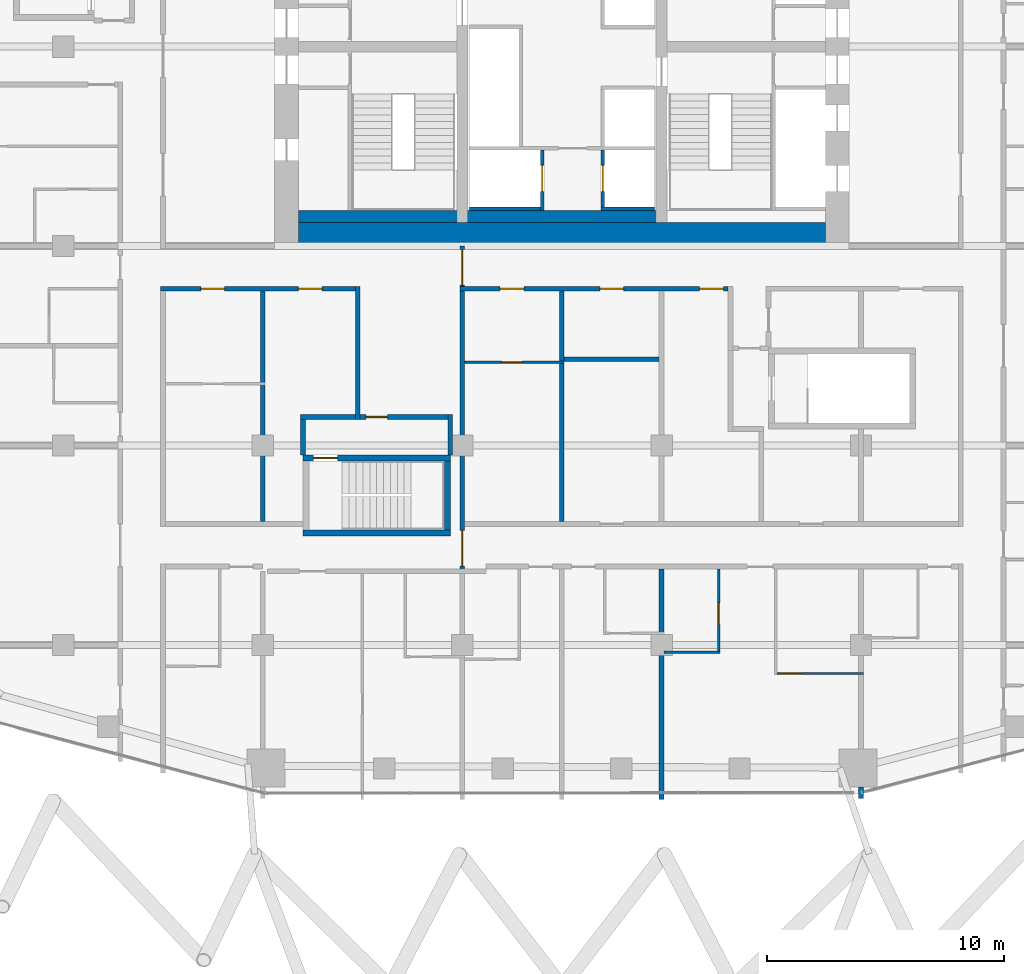
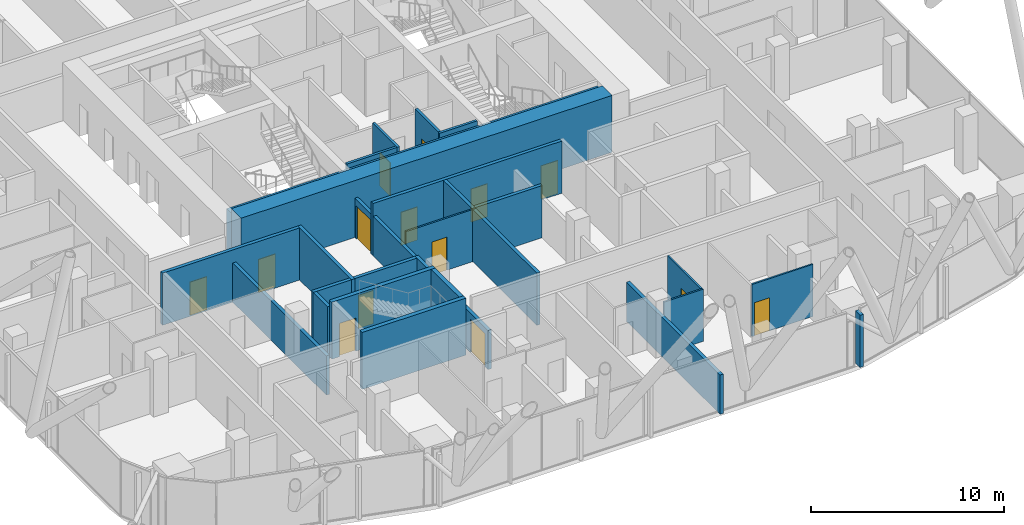
# One storey, part 27 of 34: 26 walls, 14 doors, 14 openings.
"""IFC4 building model written with IfcOpenShell, lengths in metres."""

from ifc_helpers import new_model, si_unit, direction, frame, frame_2d, origin, place, context, subcontext, project, spatial, rectangle, extrude, material, layer, layer_set, type_object, element, fill, save


model = new_model("IFC4")

# Units and contexts
model_context = context("Model", 3, precision=1e-05, world=origin(), true_north=direction((0.0, 1.0)))
body_context = subcontext(model_context, "Body", "Model", "MODEL_VIEW")
ifc_project = project(units=[si_unit("LENGTHUNIT", "METRE"), si_unit("AREAUNIT", "SQUARE_METRE"), si_unit("VOLUMEUNIT", "CUBIC_METRE"), si_unit("PLANEANGLEUNIT", "RADIAN"), si_unit("MASSUNIT", "GRAM", prefix="KILO")], contexts=[model_context])

# Site, building, storey
site_placement = place(None, origin())
site = spatial("IfcSite", under=ifc_project, at=site_placement, CompositionType="ELEMENT")
building_placement = place(site_placement, origin())
building = spatial("IfcBuilding", under=site, at=building_placement, Name="Marenta Gate Hotel Tower", CompositionType="ELEMENT")
storey_placement = place(building_placement, frame((0.0, 0.0, 166.10009765625)))
storey = spatial("IfcBuildingStorey", under=building, at=storey_placement, Name="L39", CompositionType="ELEMENT", Elevation=166.10009765625)

# Wall, openings, doors
ifc_material_1 = material(Name="Concrete blockwork", Category="masonry")
ifc_layer_1 = layer(ifc_material_1, 0.199951171875)
ifc_layer_set_1 = layer_set([ifc_layer_1], Name="Concrete blockwork")
wall_type_1 = type_object("IfcWallType", Name="Compartment wall 200 REI 180", PredefinedType="PARTITIONING", material=ifc_layer_set_1)
wall_1_placement = place(storey_placement, frame((-4.199951171875, -13.800048828125, 0.0), z_axis=(0.0, 0.0, 1.0), x_axis=(0.0, 1.0, 0.0)))
wall_1 = element("IfcWall", 1, at=wall_1_placement, inside=storey, type_object=wall_type_1, Name="L39-PTN-W074", PredefinedType="PARTITIONING", context=body_context, shape_type="SweptSolid", body=[
    extrude(rectangle(XDim=13.800048828125, YDim=0.199951171875, at=frame_2d((6.89990234375, 0.0))), origin(), (0.0, 0.0, 1.0), 2.48583984375),
])
opening_1_placement = place(wall_1_placement, frame((12.14990234375, 0.0, 0.0)))
opening_1 = element("IfcOpeningElement", 2, at=opening_1_placement, cuts=wall_1, Name="Opening G14-FD2", PredefinedType="OPENING", context=body_context, shape_type="SweptSolid", body=[
    extrude(rectangle(XDim=1.5, YDim=2.10009765625, at=frame_2d((0.75, 1.050048828125))), frame((0.0, 0.10009765625, 0.0), z_axis=(0.0, -1.0, 0.0), x_axis=(1.0, 0.0, 0.0)), (0.0, 0.0, 1.0), 0.199951171875),
])
opening_2_placement = place(wall_1_placement, frame((0.324951171875, 0.0, 0.0)))
opening_2 = element("IfcOpeningElement", 3, at=opening_2_placement, cuts=wall_1, Name="Opening G14-FD3", PredefinedType="OPENING", context=body_context, shape_type="SweptSolid", body=[
    extrude(rectangle(XDim=1.5, YDim=2.10009765625, at=frame_2d((0.75, 1.050048828125))), frame((0.0, 0.10009765625, 0.0), z_axis=(0.0, -1.0, 0.0), x_axis=(1.0, 0.0, 0.0)), (0.0, 0.0, 1.0), 0.199951171875),
])
ifc_material_2 = material(Name="Hollow steel door set", Category="steel")
door_type_1 = type_object("IfcDoorType", Name="Compartment fire door 1500x2100 EI 60", OperationType="DOUBLE_DOOR_DOUBLE_SWING", PredefinedType="DOOR", material=ifc_material_2)
door_1_placement = place(opening_1_placement, origin())
door_1 = element("IfcDoor", 4, at=door_1_placement, inside=storey, type_object=door_type_1, Name="L39-PD-FD02", OperationType="DOUBLE_DOOR_DOUBLE_SWING", OverallHeight=2.10009765625, OverallWidth=1.5, PredefinedType="DOOR", context=body_context, shape_type="SweptSolid", body=[
    extrude(rectangle(XDim=1.5, YDim=2.10009765625, at=frame_2d((0.75, 1.050048828125))), frame((0.0, 0.02490234375, 0.0), z_axis=(0.0, -1.0, 0.0), x_axis=(1.0, 0.0, 0.0)), (0.0, 0.0, 1.0), 0.050048828125),
])
fill(opening_1, door_1)
door_2_placement = place(opening_2_placement, origin())
door_2 = element("IfcDoor", 5, at=door_2_placement, inside=storey, type_object=door_type_1, Name="L39-PD-FD03", OperationType="DOUBLE_DOOR_DOUBLE_SWING", OverallHeight=2.10009765625, OverallWidth=1.5, PredefinedType="DOOR", context=body_context, shape_type="SweptSolid", body=[
    extrude(rectangle(XDim=1.5, YDim=2.10009765625, at=frame_2d((0.75, 1.050048828125))), frame((0.0, 0.02490234375, 0.0), z_axis=(0.0, -1.0, 0.0), x_axis=(1.0, 0.0, 0.0)), (0.0, 0.0, 1.0), 0.050048828125),
])
fill(opening_2, door_2)

# Wall
ifc_material_3 = material(Name="Concrete C40", Category="concrete")
ifc_layer_2 = layer(ifc_material_3, 0.5)
ifc_layer_set_2 = layer_set([ifc_layer_2], Name="Concrete C40")
wall_type_2 = type_object("IfcWallType", Name="Core lining wall 500 REI 180", PredefinedType="PARTITIONING", material=ifc_layer_set_2)
wall_2_placement = place(storey_placement, frame((-11.10009765625, 1.25, 0.0), z_axis=(0.0, 0.0, 1.0), x_axis=(1.0, 0.0, 0.0)))
element("IfcWall", 6, at=wall_2_placement, inside=storey, type_object=wall_type_2, Name="L39-CP-LN-S", PredefinedType="PARTITIONING", context=body_context, shape_type="SweptSolid", body=[
    extrude(rectangle(XDim=22.2001953125, YDim=0.5, at=frame_2d((11.10009765625, 0.0))), origin(), (0.0, 0.0, 1.0), 3.2998046875),
])

# Wall, opening, door
ifc_material_4 = material(Name="Concrete C40", Category="concrete")
ifc_layer_3 = layer(ifc_material_4, 0.14990234375)
ifc_layer_set_3 = layer_set([ifc_layer_3], Name="Concrete C40")
wall_type_3 = type_object("IfcWallType", Name="Core shaft wall 150 REI 180", PredefinedType="SHEAR", material=ifc_layer_set_3)
wall_3_placement = place(storey_placement, frame((-0.824951171875, 1.5, 0.0), z_axis=(0.0, 0.0, 1.0), x_axis=(0.0, 1.0, 0.0)))
wall_3 = element("IfcWall", 7, at=wall_3_placement, inside=storey, type_object=wall_type_3, Name="L39-SHF-CW-W-ff", PredefinedType="SHEAR", context=body_context, shape_type="SweptSolid", body=[
    extrude(rectangle(XDim=2.550048828125, YDim=0.14990234375, at=frame_2d((1.27490234375, 0.0))), origin(), (0.0, 0.0, 1.0), 3.599853515625),
])
opening_3_placement = place(wall_3_placement, frame((0.800048828125, 0.0, 0.0)))
opening_3 = element("IfcOpeningElement", 8, at=opening_3_placement, cuts=wall_3, Name="Opening LD-FF1", PredefinedType="OPENING", context=body_context, shape_type="SweptSolid", body=[
    extrude(rectangle(XDim=1.10009765625, YDim=2.10009765625, at=frame_2d((0.550048828125, 1.050048828125))), frame((0.0, 0.074951171875, 0.0), z_axis=(0.0, -1.0, 0.0), x_axis=(1.0, 0.0, 0.0)), (0.0, 0.0, 1.0), 0.14990234375),
])
ifc_material_5 = material(Name="Steel", Category="steel")
door_type_2 = type_object("IfcDoorType", Name="Core lift landing door 1100x2100 E 60", OperationType="SLIDING_TO_LEFT", PredefinedType="DOOR", material=ifc_material_5)
door_3_placement = place(opening_3_placement, origin())
door_3 = element("IfcDoor", 9, at=door_3_placement, inside=storey, type_object=door_type_2, Name="LD-FF1", OperationType="SLIDING_TO_LEFT", OverallHeight=2.10009765625, OverallWidth=1.10009765625, PredefinedType="DOOR", context=body_context, shape_type="SweptSolid", body=[
    extrude(rectangle(XDim=1.10009765625, YDim=2.10009765625, at=frame_2d((0.550048828125, 1.050048828125))), frame((0.0, 0.02490234375, 0.0), z_axis=(0.0, -1.0, 0.0), x_axis=(1.0, 0.0, 0.0)), (0.0, 0.0, 1.0), 0.050048828125),
])
fill(opening_3, door_3)

# Wall
wall_4_placement = place(storey_placement, frame((-3.89990234375, 1.574951171875, 0.0), z_axis=(0.0, 0.0, 1.0), x_axis=(1.0, 0.0, 0.0)))
element("IfcWall", 10, at=wall_4_placement, inside=storey, type_object=wall_type_3, Name="L39-SHF-CW-W-ffs", PredefinedType="SHEAR", context=body_context, shape_type="SweptSolid", body=[
    extrude(rectangle(XDim=3.0, YDim=0.14990234375, at=frame_2d((1.5, 0.0))), origin(), (0.0, 0.0, 1.0), 3.599853515625),
])

# Wall, opening, door
wall_5_placement = place(storey_placement, frame((1.72509765625, 1.64990234375, 0.0), z_axis=(0.0, 0.0, 1.0), x_axis=(0.0, 1.0, 0.0)))
wall_5 = element("IfcWall", 11, at=wall_5_placement, inside=storey, type_object=wall_type_3, Name="L39-SHF-CE-S-ls", PredefinedType="SHEAR", context=body_context, shape_type="SweptSolid", body=[
    extrude(rectangle(XDim=2.400146484375, YDim=0.14990234375, at=frame_2d((1.2001953125, 0.0))), origin(), (0.0, 0.0, 1.0), 3.599853515625),
])
opening_4_placement = place(wall_5_placement, frame((0.64990234375, 0.0, 0.0)))
opening_4 = element("IfcOpeningElement", 12, at=opening_4_placement, cuts=wall_5, Name="Opening LD-SV1", PredefinedType="OPENING", context=body_context, shape_type="SweptSolid", body=[
    extrude(rectangle(XDim=1.10009765625, YDim=2.10009765625, at=frame_2d((0.550048828125, 1.050048828125))), frame((0.0, 0.074951171875, 0.0), z_axis=(0.0, -1.0, 0.0), x_axis=(1.0, 0.0, 0.0)), (0.0, 0.0, 1.0), 0.14990234375),
])
door_4_placement = place(opening_4_placement, origin())
door_4 = element("IfcDoor", 13, at=door_4_placement, inside=storey, type_object=door_type_2, Name="LD-SV1", OperationType="SLIDING_TO_LEFT", OverallHeight=2.10009765625, OverallWidth=1.10009765625, PredefinedType="DOOR", context=body_context, shape_type="SweptSolid", body=[
    extrude(rectangle(XDim=1.10009765625, YDim=2.10009765625, at=frame_2d((0.550048828125, 1.050048828125))), frame((0.0, 0.02490234375, 0.0), z_axis=(0.0, -1.0, 0.0), x_axis=(1.0, 0.0, 0.0)), (0.0, 0.0, 1.0), 0.050048828125),
])
fill(opening_4, door_4)

# Walls
wall_6_placement = place(storey_placement, frame((1.64990234375, 1.574951171875, 0.0), z_axis=(0.0, 0.0, 1.0), x_axis=(1.0, 0.0, 0.0)))
element("IfcWall", 14, at=wall_6_placement, inside=storey, type_object=wall_type_3, Name="L39-SHF-CE-S-bot", PredefinedType="SHEAR", context=body_context, shape_type="SweptSolid", body=[
    extrude(rectangle(XDim=2.25, YDim=0.14990234375, at=frame_2d((1.125, 0.0))), origin(), (0.0, 0.0, 1.0), 3.599853515625),
])
ifc_material_6 = material(Name="Concrete C70", Category="concrete")
ifc_layer_4 = layer(ifc_material_6, 1.0)
ifc_layer_set_4 = layer_set([ifc_layer_4], Name="Concrete C70")
wall_type_4 = type_object("IfcWallType", Name="Core wall 1000 C70", PredefinedType="SHEAR", material=ifc_layer_set_4)
wall_7_placement = place(storey_placement, frame((-11.10009765625, 0.5, 0.0), z_axis=(0.0, 0.0, 1.0), x_axis=(1.0, 0.0, 0.0)))
element("IfcWall", 15, at=wall_7_placement, inside=storey, type_object=wall_type_4, Name="L39-CORE-S", PredefinedType="SHEAR", context=body_context, shape_type="SweptSolid", body=[
    extrude(rectangle(XDim=22.2001953125, YDim=1.0, at=frame_2d((11.10009765625, 0.0))), origin(), (0.0, 0.0, 1.0), 3.599853515625),
])
ifc_material_7 = material(Name="Concrete C40", Category="concrete")
ifc_layer_5 = layer(ifc_material_7, 0.25)
ifc_layer_set_5 = layer_set([ifc_layer_5], Name="Concrete C40")
wall_type_5 = type_object("IfcWallType", Name="Remote stair enclosure wall 250 REI 180", PredefinedType="SHEAR", material=ifc_layer_set_5)
wall_8_placement = place(storey_placement, frame((-10.89990234375, -12.074951171875, 0.099853515625), z_axis=(0.0, 0.0, 1.0), x_axis=(1.0, 0.0, 0.0)))
element("IfcWall", 16, at=wall_8_placement, inside=storey, type_object=wall_type_5, Name="L39-RS-Z2-1-W1", PredefinedType="SHEAR", context=body_context, shape_type="SweptSolid", body=[
    extrude(rectangle(XDim=6.199951171875, YDim=0.25, at=frame_2d((3.10009765625, 0.0))), origin(), (0.0, 0.0, 1.0), 3.60009765625),
])

# Wall, opening, door
wall_9_placement = place(storey_placement, frame((-10.89990234375, -8.925048828125, 0.099853515625), z_axis=(0.0, 0.0, 1.0), x_axis=(1.0, 0.0, 0.0)))
wall_9 = element("IfcWall", 17, at=wall_9_placement, inside=storey, type_object=wall_type_5, Name="L39-RS-Z2-1-W2", PredefinedType="SHEAR", context=body_context, shape_type="SweptSolid", body=[
    extrude(rectangle(XDim=6.199951171875, YDim=0.25, at=frame_2d((3.10009765625, 0.0))), origin(), (0.0, 0.0, 1.0), 3.60009765625),
])
opening_5_placement = place(wall_9_placement, frame((0.449951171875, 0.0, 0.0)))
opening_5 = element("IfcOpeningElement", 18, at=opening_5_placement, cuts=wall_9, Name="Opening VD", PredefinedType="OPENING", context=body_context, shape_type="SweptSolid", body=[
    extrude(rectangle(XDim=1.0, YDim=2.10009765625, at=frame_2d((0.5, 1.050048828125))), frame((0.0, 0.125, 0.0), z_axis=(0.0, -1.0, 0.0), x_axis=(1.0, 0.0, 0.0)), (0.0, 0.0, 1.0), 0.25),
])
ifc_material_8 = material(Name="Steel", Category="steel")
door_type_3 = type_object("IfcDoorType", Name="Stair vestibule door 1000x2100 FD60", OperationType="SINGLE_SWING_LEFT", PredefinedType="DOOR", material=ifc_material_8)
door_5_placement = place(opening_5_placement, origin())
door_5 = element("IfcDoor", 19, at=door_5_placement, inside=storey, type_object=door_type_3, Name="VD", OperationType="SINGLE_SWING_LEFT", OverallHeight=2.10009765625, OverallWidth=1.0, PredefinedType="DOOR", context=body_context, shape_type="SweptSolid", body=[
    extrude(rectangle(XDim=1.0, YDim=2.10009765625, at=frame_2d((0.5, 1.050048828125))), frame((0.0, 0.02490234375, 0.0), z_axis=(0.0, -1.0, 0.0), x_axis=(1.0, 0.0, 0.0)), (0.0, 0.0, 1.0), 0.050048828125),
])
fill(opening_5, door_5)

# Wall
wall_10_placement = place(storey_placement, frame((-4.824951171875, -11.949951171875, 0.099853515625), z_axis=(0.0, 0.0, 1.0), x_axis=(0.0, 1.0, 0.0)))
element("IfcWall", 20, at=wall_10_placement, inside=storey, type_object=wall_type_5, Name="L39-RS-Z2-1-W4", PredefinedType="SHEAR", context=body_context, shape_type="SweptSolid", body=[
    extrude(rectangle(XDim=2.89990234375, YDim=0.25, at=frame_2d((1.449951171875, 0.0))), origin(), (0.0, 0.0, 1.0), 3.60009765625),
])

# Wall, openings, doors
ifc_material_9 = material(Name="Concrete blockwork", Category="masonry")
ifc_layer_6 = layer(ifc_material_9, 0.199951171875)
ifc_layer_set_6 = layer_set([ifc_layer_6], Name="Concrete blockwork")
wall_type_6 = type_object("IfcWallType", Name="Room corridor wall 200 EI 120", PredefinedType="PARTITIONING", material=ifc_layer_set_6)
wall_11_placement = place(storey_placement, frame((-4.300048828125, -1.800048828125, 0.0), z_axis=(0.0, 0.0, 1.0), x_axis=(1.0, 0.0, 0.0)))
wall_11 = element("IfcWall", 21, at=wall_11_placement, inside=storey, type_object=wall_type_6, Name="L39-PTN-W062", PredefinedType="PARTITIONING", context=body_context, shape_type="SweptSolid", body=[
    extrude(rectangle(XDim=11.300048828125, YDim=0.199951171875, at=frame_2d((5.64990234375, 0.0))), origin(), (0.0, 0.0, 1.0), 3.2998046875),
])
opening_6_placement = place(wall_11_placement, frame((1.699951171875, 0.0, 0.0)))
opening_6 = element("IfcOpeningElement", 22, at=opening_6_placement, cuts=wall_11, Name="Opening G14-04", PredefinedType="OPENING", context=body_context, shape_type="SweptSolid", body=[
    extrude(rectangle(XDim=1.0, YDim=2.10009765625, at=frame_2d((0.5, 1.050048828125))), frame((0.0, 0.10009765625, 0.0), z_axis=(0.0, -1.0, 0.0), x_axis=(1.0, 0.0, 0.0)), (0.0, 0.0, 1.0), 0.199951171875),
])
opening_7_placement = place(wall_11_placement, frame((10.10009765625, 0.0, 0.0)))
opening_7 = element("IfcOpeningElement", 23, at=opening_7_placement, cuts=wall_11, Name="Opening G14-06", PredefinedType="OPENING", context=body_context, shape_type="SweptSolid", body=[
    extrude(rectangle(XDim=1.0, YDim=2.10009765625, at=frame_2d((0.5, 1.050048828125))), frame((0.0, 0.10009765625, 0.0), z_axis=(0.0, -1.0, 0.0), x_axis=(1.0, 0.0, 0.0)), (0.0, 0.0, 1.0), 0.199951171875),
])
opening_8_placement = place(wall_11_placement, frame((5.89990234375, 0.0, 0.0)))
opening_8 = element("IfcOpeningElement", 24, at=opening_8_placement, cuts=wall_11, Name="Opening G14-65", PredefinedType="OPENING", context=body_context, shape_type="SweptSolid", body=[
    extrude(rectangle(XDim=1.0, YDim=2.10009765625, at=frame_2d((0.5, 1.050048828125))), frame((0.0, 0.10009765625, 0.0), z_axis=(0.0, -1.0, 0.0), x_axis=(1.0, 0.0, 0.0)), (0.0, 0.0, 1.0), 0.199951171875),
])
ifc_material_10 = material(Name="Timber door leaf", Category="wood")
door_type_4 = type_object("IfcDoorType", Name="Room amenity door 1000x2100 EI 60", OperationType="NOTDEFINED", PredefinedType="DOOR", material=ifc_material_10)
door_6_placement = place(opening_7_placement, origin())
door_6 = element("IfcDoor", 25, at=door_6_placement, inside=storey, type_object=door_type_4, Name="L39-PD-D006", OperationType="SINGLE_SWING_LEFT", OverallHeight=2.10009765625, OverallWidth=1.0, PredefinedType="DOOR", context=body_context, shape_type="SweptSolid", body=[
    extrude(rectangle(XDim=1.0, YDim=2.10009765625, at=frame_2d((0.5, 1.050048828125))), frame((0.0, 0.02490234375, 0.0), z_axis=(0.0, -1.0, 0.0), x_axis=(1.0, 0.0, 0.0)), (0.0, 0.0, 1.0), 0.050048828125),
])
fill(opening_7, door_6)
door_7_placement = place(opening_8_placement, origin())
door_7 = element("IfcDoor", 26, at=door_7_placement, inside=storey, type_object=door_type_4, Name="L39-PD-D065", OperationType="SINGLE_SWING_LEFT", OverallHeight=2.10009765625, OverallWidth=1.0, PredefinedType="DOOR", context=body_context, shape_type="SweptSolid", body=[
    extrude(rectangle(XDim=1.0, YDim=2.10009765625, at=frame_2d((0.5, 1.050048828125))), frame((0.0, 0.02490234375, 0.0), z_axis=(0.0, -1.0, 0.0), x_axis=(1.0, 0.0, 0.0)), (0.0, 0.0, 1.0), 0.050048828125),
])
fill(opening_8, door_7)
ifc_material_11 = material(Name="Hollow steel door set", Category="steel")
door_type_5 = type_object("IfcDoorType", Name="Room service door 1000x2100 EI 60", OperationType="NOTDEFINED", PredefinedType="DOOR", material=ifc_material_11)
door_8_placement = place(opening_6_placement, origin())
door_8 = element("IfcDoor", 27, at=door_8_placement, inside=storey, type_object=door_type_5, Name="L39-PD-D004", OperationType="SINGLE_SWING_RIGHT", OverallHeight=2.10009765625, OverallWidth=1.0, PredefinedType="DOOR", context=body_context, shape_type="SweptSolid", body=[
    extrude(rectangle(XDim=1.0, YDim=2.10009765625, at=frame_2d((0.5, 1.050048828125))), frame((0.0, 0.02490234375, 0.0), z_axis=(0.0, -1.0, 0.0), x_axis=(1.0, 0.0, 0.0)), (0.0, 0.0, 1.0), 0.050048828125),
])
fill(opening_6, door_8)

ifc_material_12 = material(Name="Gypsum board on steel stud", Category="steel")
ifc_layer_7 = layer(ifc_material_12, 0.199951171875)
ifc_layer_set_7 = layer_set([ifc_layer_7], Name="Gypsum board on steel stud")
wall_type_7 = type_object("IfcWallType", Name="Room corridor wall 200 EI 60", PredefinedType="PARTITIONING", material=ifc_layer_set_7)
wall_12_placement = place(storey_placement, frame((-16.89990234375, -1.800048828125, 0.0), z_axis=(0.0, 0.0, 1.0), x_axis=(1.0, 0.0, 0.0)))
wall_12 = element("IfcWall", 28, at=wall_12_placement, inside=storey, type_object=wall_type_7, Name="L39-PTN-W061", PredefinedType="PARTITIONING", context=body_context, shape_type="SweptSolid", body=[
    extrude(rectangle(XDim=8.199951171875, YDim=0.199951171875, at=frame_2d((4.10009765625, 0.0))), origin(), (0.0, 0.0, 1.0), 3.2998046875),
])
opening_9_placement = place(wall_12_placement, frame((1.699951171875, 0.0, 0.0)))
opening_9 = element("IfcOpeningElement", 29, at=opening_9_placement, cuts=wall_12, Name="Opening G14-01", PredefinedType="OPENING", context=body_context, shape_type="SweptSolid", body=[
    extrude(rectangle(XDim=1.0, YDim=2.10009765625, at=frame_2d((0.5, 1.050048828125))), frame((0.0, 0.10009765625, 0.0), z_axis=(0.0, -1.0, 0.0), x_axis=(1.0, 0.0, 0.0)), (0.0, 0.0, 1.0), 0.199951171875),
])
opening_10_placement = place(wall_12_placement, frame((5.800048828125, 0.0, 0.0)))
opening_10 = element("IfcOpeningElement", 30, at=opening_10_placement, cuts=wall_12, Name="Opening G14-03", PredefinedType="OPENING", context=body_context, shape_type="SweptSolid", body=[
    extrude(rectangle(XDim=1.0, YDim=2.10009765625, at=frame_2d((0.5, 1.050048828125))), frame((0.0, 0.10009765625, 0.0), z_axis=(0.0, -1.0, 0.0), x_axis=(1.0, 0.0, 0.0)), (0.0, 0.0, 1.0), 0.199951171875),
])
ifc_material_13 = material(Name="Timber door leaf", Category="wood")
door_type_6 = type_object("IfcDoorType", Name="Room amenity door 1000x2100 EI 30", OperationType="NOTDEFINED", PredefinedType="DOOR", material=ifc_material_13)
door_9_placement = place(opening_10_placement, origin())
door_9 = element("IfcDoor", 31, at=door_9_placement, inside=storey, type_object=door_type_6, Name="L39-PD-D003", OperationType="SINGLE_SWING_LEFT", OverallHeight=2.10009765625, OverallWidth=1.0, PredefinedType="DOOR", context=body_context, shape_type="SweptSolid", body=[
    extrude(rectangle(XDim=1.0, YDim=2.10009765625, at=frame_2d((0.5, 1.050048828125))), frame((0.0, 0.02490234375, 0.0), z_axis=(0.0, -1.0, 0.0), x_axis=(1.0, 0.0, 0.0)), (0.0, 0.0, 1.0), 0.050048828125),
])
fill(opening_10, door_9)
ifc_material_14 = material(Name="Hollow steel door set", Category="steel")
door_type_7 = type_object("IfcDoorType", Name="Room service door 1000x2100 EI 30", OperationType="NOTDEFINED", PredefinedType="DOOR", material=ifc_material_14)
door_10_placement = place(opening_9_placement, origin())
door_10 = element("IfcDoor", 32, at=door_10_placement, inside=storey, type_object=door_type_7, Name="L39-PD-D001", OperationType="SINGLE_SWING_LEFT", OverallHeight=2.10009765625, OverallWidth=1.0, PredefinedType="DOOR", context=body_context, shape_type="SweptSolid", body=[
    extrude(rectangle(XDim=1.0, YDim=2.10009765625, at=frame_2d((0.5, 1.050048828125))), frame((0.0, 0.02490234375, 0.0), z_axis=(0.0, -1.0, 0.0), x_axis=(1.0, 0.0, 0.0)), (0.0, 0.0, 1.0), 0.050048828125),
])
fill(opening_9, door_10)

# Wall
wall_13_placement = place(storey_placement, frame((-8.60009765625, -7.300048828125, 0.0), z_axis=(0.0, 0.0, 1.0), x_axis=(0.0, 1.0, 0.0)))
element("IfcWall", 33, at=wall_13_placement, inside=storey, type_object=wall_type_7, Name="L39-PTN-W084", PredefinedType="PARTITIONING", context=body_context, shape_type="SweptSolid", body=[
    extrude(rectangle(XDim=5.60009765625, YDim=0.199951171875, at=frame_2d((2.800048828125, 0.0))), origin(), (0.0, 0.0, 1.0), 3.2998046875),
])

# Wall, opening, door
ifc_material_15 = material(Name="Concrete blockwork", Category="masonry")
ifc_layer_8 = layer(ifc_material_15, 0.199951171875)
ifc_layer_set_8 = layer_set([ifc_layer_8], Name="Concrete blockwork")
wall_type_8 = type_object("IfcWallType", Name="Room corridor wall 200 REI 180", PredefinedType="PARTITIONING", material=ifc_layer_set_8)
wall_14_placement = place(storey_placement, frame((-8.5, -7.199951171875, 0.0), z_axis=(0.0, 0.0, 1.0), x_axis=(1.0, 0.0, 0.0)))
wall_14 = element("IfcWall", 34, at=wall_14_placement, inside=storey, type_object=wall_type_8, Name="L39-PTN-W045", PredefinedType="PARTITIONING", context=body_context, shape_type="SweptSolid", body=[
    extrude(rectangle(XDim=3.699951171875, YDim=0.199951171875, at=frame_2d((1.85009765625, 0.0))), origin(), (0.0, 0.0, 1.0), 3.2998046875),
])
opening_11_placement = place(wall_14_placement, frame((0.25, 0.0, 0.0)))
opening_11 = element("IfcOpeningElement", 35, at=opening_11_placement, cuts=wall_14, Name="Opening G14-56", PredefinedType="OPENING", context=body_context, shape_type="SweptSolid", body=[
    extrude(rectangle(XDim=0.89990234375, YDim=2.10009765625, at=frame_2d((0.449951171875, 1.050048828125))), frame((0.0, 0.10009765625, 0.0), z_axis=(0.0, -1.0, 0.0), x_axis=(1.0, 0.0, 0.0)), (0.0, 0.0, 1.0), 0.199951171875),
])
ifc_material_16 = material(Name="Hollow steel door set", Category="steel")
door_type_8 = type_object("IfcDoorType", Name="Stair vestibule door 900x2100 EI 60", OperationType="NOTDEFINED", PredefinedType="DOOR", material=ifc_material_16)
door_11_placement = place(opening_11_placement, origin())
door_11 = element("IfcDoor", 36, at=door_11_placement, inside=storey, type_object=door_type_8, Name="L39-PD-D056", OperationType="SINGLE_SWING_RIGHT", OverallHeight=2.10009765625, OverallWidth=0.89990234375, PredefinedType="DOOR", context=body_context, shape_type="SweptSolid", body=[
    extrude(rectangle(XDim=0.89990234375, YDim=2.10009765625, at=frame_2d((0.449951171875, 1.050048828125))), frame((0.0, 0.02490234375, 0.0), z_axis=(0.0, -1.0, 0.0), x_axis=(1.0, 0.0, 0.0)), (0.0, 0.0, 1.0), 0.050048828125),
])
fill(opening_11, door_11)

# Wall
wall_15_placement = place(storey_placement, frame((-4.699951171875, -8.800048828125, 0.0), z_axis=(0.0, 0.0, 1.0), x_axis=(0.0, 1.0, 0.0)))
element("IfcWall", 37, at=wall_15_placement, inside=storey, type_object=wall_type_8, Name="L39-PTN-W077", PredefinedType="PARTITIONING", context=body_context, shape_type="SweptSolid", body=[
    extrude(rectangle(XDim=1.699951171875, YDim=0.199951171875, at=frame_2d((0.85009765625, 0.0))), origin(), (0.0, 0.0, 1.0), 3.2998046875),
])

# Wall, opening, door
ifc_material_17 = material(Name="Gypsum board on steel stud", Category="steel")
ifc_layer_9 = layer(ifc_material_17, 0.10009765625)
ifc_layer_set_9 = layer_set([ifc_layer_9], Name="Gypsum board on steel stud")
wall_type_9 = type_object("IfcWallType", Name="Room partition 100", PredefinedType="PARTITIONING", material=ifc_layer_set_9)
wall_16_placement = place(storey_placement, frame((9.050048828125, -18.0, 0.0), z_axis=(0.0, 0.0, 1.0), x_axis=(1.0, 0.0, 0.0)))
wall_16 = element("IfcWall", 38, at=wall_16_placement, inside=storey, type_object=wall_type_9, Name="L39-PTN-W011", PredefinedType="PARTITIONING", context=body_context, shape_type="SweptSolid", body=[
    extrude(rectangle(XDim=3.64990234375, YDim=0.10009765625, at=frame_2d((1.824951171875, 0.0))), origin(), (0.0, 0.0, 1.0), 3.2998046875),
])
opening_12_placement = place(wall_16_placement, frame((0.14990234375, 0.0, 0.0)))
opening_12 = element("IfcOpeningElement", 39, at=opening_12_placement, cuts=wall_16, Name="Opening G14-40", PredefinedType="OPENING", context=body_context, shape_type="SweptSolid", body=[
    extrude(rectangle(XDim=0.89990234375, YDim=2.10009765625, at=frame_2d((0.449951171875, 1.050048828125))), frame((0.0, 0.050048828125, 0.0), z_axis=(0.0, -1.0, 0.0), x_axis=(1.0, 0.0, 0.0)), (0.0, 0.0, 1.0), 0.10009765625),
])
ifc_material_18 = material(Name="Timber door leaf", Category="wood")
door_type_9 = type_object("IfcDoorType", Name="Guest bathroom door 900x2100", OperationType="NOTDEFINED", PredefinedType="DOOR", material=ifc_material_18)
door_12_placement = place(opening_12_placement, origin())
door_12 = element("IfcDoor", 40, at=door_12_placement, inside=storey, type_object=door_type_9, Name="L39-PD-D040", OperationType="SINGLE_SWING_LEFT", OverallHeight=2.10009765625, OverallWidth=0.89990234375, PredefinedType="DOOR", context=body_context, shape_type="SweptSolid", body=[
    extrude(rectangle(XDim=0.89990234375, YDim=2.10009765625, at=frame_2d((0.449951171875, 1.050048828125))), frame((0.0, 0.02490234375, 0.0), z_axis=(0.0, -1.0, 0.0), x_axis=(1.0, 0.0, 0.0)), (0.0, 0.0, 1.0), 0.050048828125),
])
fill(opening_12, door_12)

# Wall
wall_17_placement = place(storey_placement, frame((4.300048828125, -17.10009765625, 0.0), z_axis=(0.0, 0.0, 1.0), x_axis=(1.0, 0.0, 0.0)))
element("IfcWall", 41, at=wall_17_placement, inside=storey, type_object=wall_type_9, Name="L39-PTN-W015", PredefinedType="PARTITIONING", context=body_context, shape_type="SweptSolid", body=[
    extrude(rectangle(XDim=2.349853515625, YDim=0.10009765625, at=frame_2d((1.1748046875, 0.0))), origin(), (0.0, 0.0, 1.0), 3.2998046875),
])

# Wall, opening, door
wall_18_placement = place(storey_placement, frame((6.60009765625, -17.050048828125, 0.0), z_axis=(0.0, 0.0, 1.0), x_axis=(0.0, 1.0, 0.0)))
wall_18 = element("IfcWall", 42, at=wall_18_placement, inside=storey, type_object=wall_type_9, Name="L39-PTN-W048", PredefinedType="PARTITIONING", context=body_context, shape_type="SweptSolid", body=[
    extrude(rectangle(XDim=3.449951171875, YDim=0.10009765625, at=frame_2d((1.72509765625, 0.0))), origin(), (0.0, 0.0, 1.0), 3.2998046875),
])
opening_13_placement = place(wall_18_placement, frame((1.1201171875, 0.0, 0.0)))
opening_13 = element("IfcOpeningElement", 43, at=opening_13_placement, cuts=wall_18, Name="Opening G14-41", PredefinedType="OPENING", context=body_context, shape_type="SweptSolid", body=[
    extrude(rectangle(XDim=0.89990234375, YDim=2.10009765625, at=frame_2d((0.449951171875, 1.050048828125))), frame((0.0, 0.050048828125, 0.0), z_axis=(0.0, -1.0, 0.0), x_axis=(1.0, 0.0, 0.0)), (0.0, 0.0, 1.0), 0.10009765625),
])
ifc_material_19 = material(Name="Timber door leaf", Category="wood")
door_type_10 = type_object("IfcDoorType", Name="Room inner door 900x2100", OperationType="NOTDEFINED", PredefinedType="DOOR", material=ifc_material_19)
door_13_placement = place(opening_13_placement, origin())
door_13 = element("IfcDoor", 44, at=door_13_placement, inside=storey, type_object=door_type_10, Name="L39-PD-D041", OperationType="SINGLE_SWING_LEFT", OverallHeight=2.10009765625, OverallWidth=0.89990234375, PredefinedType="DOOR", context=body_context, shape_type="SweptSolid", body=[
    extrude(rectangle(XDim=0.89990234375, YDim=2.10009765625, at=frame_2d((0.449951171875, 1.050048828125))), frame((0.0, 0.02490234375, 0.0), z_axis=(0.0, -1.0, 0.0), x_axis=(1.0, 0.0, 0.0)), (0.0, 0.0, 1.0), 0.050048828125),
])
fill(opening_13, door_13)

wall_19_placement = place(storey_placement, frame((-4.10009765625, -4.89990234375, 0.0), z_axis=(0.0, 0.0, 1.0), x_axis=(1.0, 0.0, 0.0)))
wall_19 = element("IfcWall", 45, at=wall_19_placement, inside=storey, type_object=wall_type_9, Name="L39-PTN-W051", PredefinedType="PARTITIONING", context=body_context, shape_type="SweptSolid", body=[
    extrude(rectangle(XDim=4.2001953125, YDim=0.10009765625, at=frame_2d((2.10009765625, 0.0))), origin(), (0.0, 0.0, 1.0), 3.2998046875),
])
opening_14_placement = place(wall_19_placement, frame((1.550048828125, 0.0, 0.0)))
opening_14 = element("IfcOpeningElement", 46, at=opening_14_placement, cuts=wall_19, Name="Opening G14-05", PredefinedType="OPENING", context=body_context, shape_type="SweptSolid", body=[
    extrude(rectangle(XDim=0.89990234375, YDim=2.10009765625, at=frame_2d((0.449951171875, 1.050048828125))), frame((0.0, 0.050048828125, 0.0), z_axis=(0.0, -1.0, 0.0), x_axis=(1.0, 0.0, 0.0)), (0.0, 0.0, 1.0), 0.10009765625),
])
door_14_placement = place(opening_14_placement, origin())
door_14 = element("IfcDoor", 47, at=door_14_placement, inside=storey, type_object=door_type_10, Name="L39-PD-D005", OperationType="SINGLE_SWING_LEFT", OverallHeight=2.10009765625, OverallWidth=0.89990234375, PredefinedType="DOOR", context=body_context, shape_type="SweptSolid", body=[
    extrude(rectangle(XDim=0.89990234375, YDim=2.10009765625, at=frame_2d((0.449951171875, 1.050048828125))), frame((0.0, 0.02490234375, 0.0), z_axis=(0.0, -1.0, 0.0), x_axis=(1.0, 0.0, 0.0)), (0.0, 0.0, 1.0), 0.050048828125),
])
fill(opening_14, door_14)

# Walls
ifc_material_20 = material(Name="Concrete blockwork", Category="masonry")
ifc_layer_10 = layer(ifc_material_20, 0.199951171875)
ifc_layer_set_10 = layer_set([ifc_layer_10], Name="Concrete blockwork")
wall_type_10 = type_object("IfcWallType", Name="Room party wall 200 EI 120", PredefinedType="PARTITIONING", material=ifc_layer_set_10)
wall_20_placement = place(storey_placement, frame((0.0, -11.60009765625, 0.0), z_axis=(0.0, 0.0, 1.0), x_axis=(0.0, 1.0, 0.0)))
element("IfcWall", 48, at=wall_20_placement, inside=storey, type_object=wall_type_10, Name="L39-PTN-W066", PredefinedType="PARTITIONING", context=body_context, shape_type="SweptSolid", body=[
    extrude(rectangle(XDim=9.7001953125, YDim=0.199951171875, at=frame_2d((4.85009765625, 0.0))), origin(), (0.0, 0.0, 1.0), 3.2998046875),
])
ifc_material_21 = material(Name="Gypsum board on steel stud", Category="steel")
ifc_layer_11 = layer(ifc_material_21, 0.199951171875)
ifc_layer_set_11 = layer_set([ifc_layer_11], Name="Gypsum board on steel stud")
wall_type_11 = type_object("IfcWallType", Name="Room party wall 200 EI 60", PredefinedType="PARTITIONING", material=ifc_layer_set_11)
wall_21_placement = place(storey_placement, frame((12.60009765625, -23.26611328125, 0.0), z_axis=(0.0, 0.0, 1.0), x_axis=(0.0, 1.0, 0.0)))
element("IfcWall", 49, at=wall_21_placement, inside=storey, type_object=wall_type_11, Name="L39-PTN-W029", PredefinedType="PARTITIONING", context=body_context, shape_type="SweptSolid", body=[
    extrude(rectangle(XDim=0.4912109375, YDim=0.199951171875, at=frame_2d((0.24560546875, 0.0))), origin(), (0.0, 0.0, 1.0), 3.2998046875),
])
wall_22_placement = place(storey_placement, frame((0.10009765625, -4.77001953125, 0.0), z_axis=(0.0, 0.0, 1.0), x_axis=(1.0, 0.0, 0.0)))
element("IfcWall", 50, at=wall_22_placement, inside=storey, type_object=wall_type_11, Name="L39-PTN-W052", PredefinedType="PARTITIONING", context=body_context, shape_type="SweptSolid", body=[
    extrude(rectangle(XDim=4.0, YDim=0.199951171875, at=frame_2d((2.0, 0.0))), origin(), (0.0, 0.0, 1.0), 3.2998046875),
])
wall_23_placement = place(storey_placement, frame((4.199951171875, -23.300048828125, 0.0), z_axis=(0.0, 0.0, 1.0), x_axis=(0.0, 1.0, 0.0)))
element("IfcWall", 51, at=wall_23_placement, inside=storey, type_object=wall_type_11, Name="L39-PTN-W054", PredefinedType="PARTITIONING", context=body_context, shape_type="SweptSolid", body=[
    extrude(rectangle(XDim=9.699951171875, YDim=0.199951171875, at=frame_2d((4.85009765625, 0.0))), origin(), (0.0, 0.0, 1.0), 2.48583984375),
])
wall_24_placement = place(storey_placement, frame((-12.60009765625, -11.60009765625, 0.0), z_axis=(0.0, 0.0, 1.0), x_axis=(0.0, 1.0, 0.0)))
element("IfcWall", 52, at=wall_24_placement, inside=storey, type_object=wall_type_11, Name="L39-PTN-W089", PredefinedType="PARTITIONING", context=body_context, shape_type="SweptSolid", body=[
    extrude(rectangle(XDim=9.7001953125, YDim=0.199951171875, at=frame_2d((4.85009765625, 0.0))), origin(), (0.0, 0.0, 1.0), 2.48583984375),
])
ifc_material_22 = material(Name="Concrete blockwork", Category="masonry")
ifc_layer_12 = layer(ifc_material_22, 0.199951171875)
ifc_layer_set_12 = layer_set([ifc_layer_12], Name="Concrete blockwork")
wall_type_12 = type_object("IfcWallType", Name="Room party wall 200 REI 180", PredefinedType="PARTITIONING", material=ifc_layer_set_12)
wall_25_placement = place(storey_placement, frame((-11.0, -7.199951171875, 0.0), z_axis=(0.0, 0.0, 1.0), x_axis=(1.0, 0.0, 0.0)))
element("IfcWall", 53, at=wall_25_placement, inside=storey, type_object=wall_type_12, Name="L39-PTN-W044", PredefinedType="PARTITIONING", context=body_context, shape_type="SweptSolid", body=[
    extrude(rectangle(XDim=2.300048828125, YDim=0.199951171875, at=frame_2d((1.14990234375, 0.0))), origin(), (0.0, 0.0, 1.0), 3.2998046875),
])
wall_26_placement = place(storey_placement, frame((-10.89990234375, -8.800048828125, 0.0), z_axis=(0.0, 0.0, 1.0), x_axis=(0.0, 1.0, 0.0)))
element("IfcWall", 54, at=wall_26_placement, inside=storey, type_object=wall_type_12, Name="L39-PTN-W087", PredefinedType="PARTITIONING", context=body_context, shape_type="SweptSolid", body=[
    extrude(rectangle(XDim=1.5, YDim=0.199951171875, at=frame_2d((0.75, 0.0))), origin(), (0.0, 0.0, 1.0), 3.2998046875),
])

save(model, "model.ifc")
